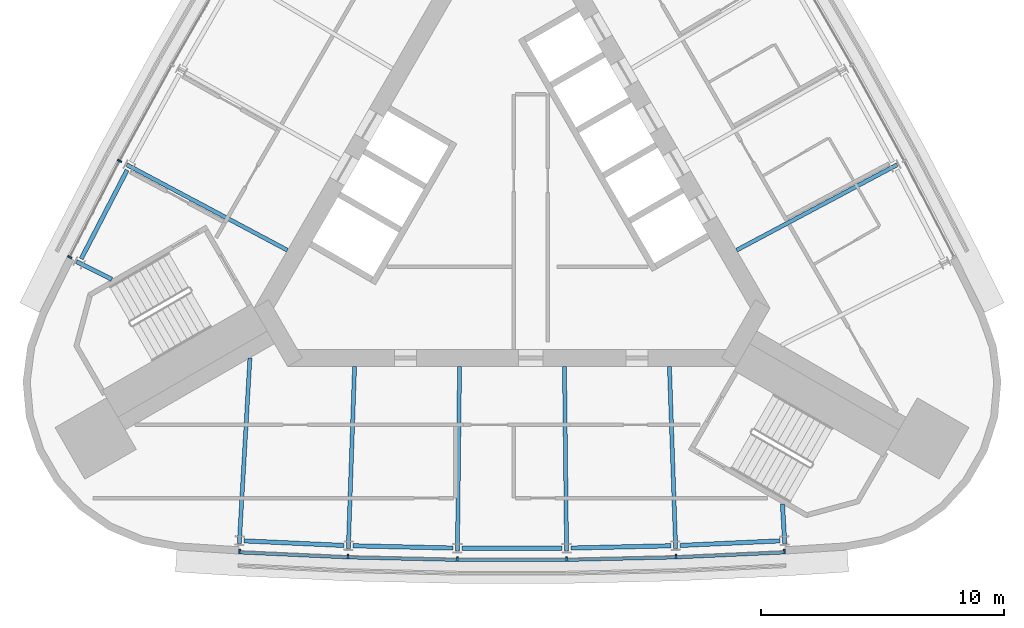
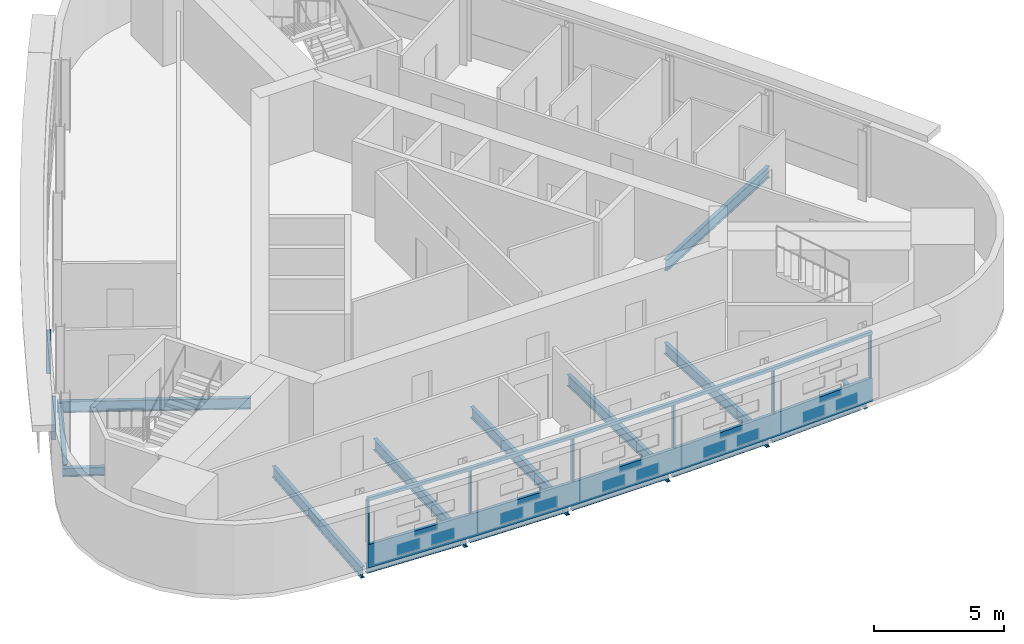
# One storey, part 2 of 10: 15 beams, 10 members, 2 elements without a shape of their own.
"""IFC4 building model written with IfcOpenShell, lengths in metres."""

from ifc_helpers import new_model, si_unit, direction, frame, origin, origin_2d, place, context, subcontext, project, spatial, polyline, rectangle, i_section, outline, extrude, material, material_profile, profile_set, type_object, element, aggregate, save


model = new_model("IFC4")

# Units and contexts
model_context = context("Model", 3, precision=1e-05, world=origin(), true_north=direction((0.0, 1.0)))
body_context = subcontext(model_context, "Body", "Model", "MODEL_VIEW")
ifc_project = project(units=[si_unit("LENGTHUNIT", "METRE"), si_unit("AREAUNIT", "SQUARE_METRE"), si_unit("VOLUMEUNIT", "CUBIC_METRE"), si_unit("PLANEANGLEUNIT", "RADIAN"), si_unit("MASSUNIT", "GRAM", prefix="KILO")], contexts=[model_context])

# Site, building, storey
site_placement = place(None, origin())
site = spatial("IfcSite", under=ifc_project, at=site_placement, CompositionType="ELEMENT")
building_placement = place(site_placement, origin())
building = spatial("IfcBuilding", under=site, at=building_placement, Name="Noor Cloister Tower", CompositionType="ELEMENT")
storey_placement = place(building_placement, frame((0.0, 0.0, 247.199951171875)))
storey = spatial("IfcBuildingStorey", under=building, at=storey_placement, Name="L64", CompositionType="ELEMENT", Elevation=247.199951171875)

# Curtain wall, member
ifc_material_1 = material(Name="Aluminium 6063-T6 anodised", Category="aluminium")
curtain_wall_type = type_object("IfcCurtainWallType", Name="Ribbon curtain wall, upper tower CW5", PredefinedType="NOTDEFINED", material=ifc_material_1)
curtain_wall_1_placement = place(storey_placement, origin())
curtain_wall_1 = element("IfcCurtainWall", 1, at=curtain_wall_1_placement, inside=storey, type_object=curtain_wall_type, Name="CW5 L64 S run 2", PredefinedType="NOTDEFINED")
ifc_material_2 = material(Name="Aluminium 6063-T6 anodised", Category="aluminium")
member_type_1 = type_object("IfcMemberType", Name="Head transom CW5 150", PredefinedType="USERDEFINED", material=ifc_material_2)
member_1_placement = place(storey_placement, frame((0.0, 0.0, 3.150146484375)))
member_1 = element("IfcMember", 2, at=member_1_placement, type_object=member_type_1, Name="CW5 head transom", ObjectType="TRANSOM", PredefinedType="USERDEFINED", context=body_context, shape_type="SweptSolid", body=[
    extrude(outline(polyline([(-11.243896484375, -14.640625), (-6.748779296875, -14.846923828125), (-2.25, -14.949951171875), (2.25, -14.949951171875), (6.748779296875, -14.846923828125), (11.243896484375, -14.640625), (11.2373046875, -14.500732421875), (6.743896484375, -14.706787109375), (2.248291015625, -14.81005859375), (-2.248291015625, -14.81005859375), (-6.743896484375, -14.706787109375), (-11.2373046875, -14.500732421875), (-11.243896484375, -14.640625)])), origin(), (0.0, 0.0, 1.0), 0.14990234375),
])

# Curtain wall, members
curtain_wall_2_placement = place(storey_placement, origin())
curtain_wall_2 = element("IfcCurtainWall", 3, at=curtain_wall_2_placement, inside=storey, type_object=curtain_wall_type, Name="CW5 L64 NW run 1", PredefinedType="NOTDEFINED")
ifc_material_3 = material(Name="Aluminium 6063-T6 anodised", Category="aluminium")
ifc_material_profile_1 = material_profile(ifc_material_3, rectangle(XDim=0.179931640625, YDim=0.070068359375, at=origin_2d()), Name="180 x 70 mullion")
ifc_profile_set_1 = profile_set([ifc_material_profile_1], Name="Aluminium 6063-T6 anodised")
member_type_2 = type_object("IfcMemberType", Name="Mullion CW5 70 x 180", PredefinedType="MULLION", material=ifc_profile_set_1)
member_2_placement = place(storey_placement, frame((-16.143798828125, 1.531982421875, 1.10009765625), z_axis=(0.0, 0.0, 1.0), x_axis=(0.882705052663, -0.469927430572, 0.0)))
member_2 = element("IfcMember", 4, at=member_2_placement, type_object=member_type_2, Name="CW5 mullion 5", PredefinedType="MULLION", context=body_context, shape_type="SweptSolid", body=[
    extrude(rectangle(XDim=0.179931640625, YDim=0.070068359375, at=origin_2d()), origin(), (0.0, 0.0, 1.0), 2.050048828125),
])
member_3_placement = place(storey_placement, frame((-18.196044921875, -2.43212890625, 1.10009765625), z_axis=(0.0, 0.0, 1.0), x_axis=(0.888033907993, -0.459777966255, 0.0)))
member_3 = element("IfcMember", 5, at=member_3_placement, type_object=member_type_2, Name="CW5 mullion 6", PredefinedType="MULLION", context=body_context, shape_type="SweptSolid", body=[
    extrude(rectangle(XDim=0.179931640625, YDim=0.070068359375, at=origin_2d()), origin(), (0.0, 0.0, 1.0), 2.050048828125),
])
aggregate(curtain_wall_2, [member_2, member_3])

# Member
member_4_placement = place(storey_placement, frame((-11.204345703125, -14.542236328125, 1.10009765625), z_axis=(0.0, 0.0, 1.0), x_axis=(0.045837555119, 0.998948906872, 0.0)))
member_4 = element("IfcMember", 6, at=member_4_placement, type_object=member_type_2, Name="CW5 mullion 1", PredefinedType="MULLION", context=body_context, shape_type="SweptSolid", body=[
    extrude(rectangle(XDim=0.179931640625, YDim=0.070068359375, at=origin_2d()), origin(), (0.0, 0.0, 1.0), 2.050048828125),
])

member_5_placement = place(storey_placement, frame((-6.7451171875, -14.746826171875, 1.10009765625), z_axis=(0.0, 0.0, 1.0), x_axis=(0.034383433521, 0.999408714941, 0.0)))
member_5 = element("IfcMember", 7, at=member_5_placement, type_object=member_type_2, Name="CW5 mullion 2", PredefinedType="MULLION", context=body_context, shape_type="SweptSolid", body=[
    extrude(rectangle(XDim=0.179931640625, YDim=0.070068359375, at=origin_2d()), origin(), (0.0, 0.0, 1.0), 2.050048828125),
])

member_6_placement = place(storey_placement, frame((-2.248779296875, -14.85009765625, 1.10009765625), z_axis=(0.0, 0.0, 1.0), x_axis=(0.011463158728, 0.999934295837, 0.0)))
member_6 = element("IfcMember", 8, at=member_6_placement, type_object=member_type_2, Name="CW5 mullion 3", PredefinedType="MULLION", context=body_context, shape_type="SweptSolid", body=[
    extrude(rectangle(XDim=0.179931640625, YDim=0.070068359375, at=origin_2d()), origin(), (0.0, 0.0, 1.0), 2.050048828125),
])

member_7_placement = place(storey_placement, frame((2.248779296875, -14.85009765625, 1.10009765625), z_axis=(0.0, 0.0, 1.0), x_axis=(-0.011463158728, 0.999934295837, 0.0)))
member_7 = element("IfcMember", 9, at=member_7_placement, type_object=member_type_2, Name="CW5 mullion 4", PredefinedType="MULLION", context=body_context, shape_type="SweptSolid", body=[
    extrude(rectangle(XDim=0.179931640625, YDim=0.070068359375, at=origin_2d()), origin(), (0.0, 0.0, 1.0), 2.050048828125),
])

member_8_placement = place(storey_placement, frame((6.7451171875, -14.746826171875, 1.10009765625), z_axis=(0.0, 0.0, 1.0), x_axis=(-0.034383433521, 0.999408714941, 0.0)))
member_8 = element("IfcMember", 10, at=member_8_placement, type_object=member_type_2, Name="CW5 mullion 5", PredefinedType="MULLION", context=body_context, shape_type="SweptSolid", body=[
    extrude(rectangle(XDim=0.179931640625, YDim=0.070068359375, at=origin_2d()), origin(), (0.0, 0.0, 1.0), 2.050048828125),
])

member_9_placement = place(storey_placement, frame((11.204345703125, -14.542236328125, 1.10009765625), z_axis=(0.0, 0.0, 1.0), x_axis=(-0.045837555119, 0.998948906872, 0.0)))
member_9 = element("IfcMember", 11, at=member_9_placement, type_object=member_type_2, Name="CW5 mullion 6", PredefinedType="MULLION", context=body_context, shape_type="SweptSolid", body=[
    extrude(rectangle(XDim=0.179931640625, YDim=0.070068359375, at=origin_2d()), origin(), (0.0, 0.0, 1.0), 2.050048828125),
])

# Beams
ifc_material_4 = material(Name="Steel ASTM A992 Gr 50", Category="steel")
ifc_material_profile_2 = material_profile(ifc_material_4, i_section(OverallWidth=0.177978515625, OverallDepth=0.406005859375, WebThickness=0.0078125, FlangeThickness=0.0126953125, FilletRadius=0.01025390625, at=origin_2d()), Name="W410x60")
ifc_profile_set_2 = profile_set([ifc_material_profile_2], Name="Steel ASTM A992 Gr 50")
beam_type_1 = type_object("IfcBeamType", Name="Radial beam W410x60", PredefinedType="BEAM", material=ifc_profile_set_2)
for number, where, z_axis, x_axis, name in (
    (12, (-17.913330078125, -2.6123046875, -0.40283203125), (0.893252544543, -0.449555215372, 0.0), (0.449555215372, 0.893252544543, 0.0), "Radial beam NW 06 L64"),
    (13, (11.218994140625, -14.207275390625, -0.40283203125), (-0.057225162394, 0.998361297722, 0.0), (-0.998361297722, -0.057225162394, 0.0), "Radial beam S 06 L64"),
):
    element("IfcBeam", number, at=place(storey_placement, frame(where, z_axis=z_axis, x_axis=x_axis)), inside=storey, type_object=beam_type_1, Name=name, PredefinedType="BEAM", context=body_context, shape_type="SweptSolid", body=[
        extrude(i_section(OverallWidth=0.177978515625, OverallDepth=0.406005859375, WebThickness=0.0078125, FlangeThickness=0.0126953125, FilletRadius=0.01025390625, at=origin_2d()), origin(), (0.0, 0.0, 1.0), 1.62548828125),
    ])
ifc_material_5 = material(Name="Steel ASTM A992 Gr 50", Category="steel")
ifc_material_profile_3 = material_profile(ifc_material_5, i_section(OverallWidth=0.166015625, OverallDepth=0.528076171875, WebThickness=0.009765625, FlangeThickness=0.013671875, FilletRadius=0.0126953125, at=origin_2d()), Name="W530x74")
ifc_profile_set_3 = profile_set([ifc_material_profile_3], Name="Steel ASTM A992 Gr 50")
beam_type_2 = type_object("IfcBeamType", Name="Radial beam W530x74", PredefinedType="BEAM", material=ifc_profile_set_3)
beam_1_placement = place(storey_placement, frame((-15.848876953125, 1.375, -0.4638671875), z_axis=(0.882699214966, -0.469938395855, 0.0), x_axis=(0.469938395855, 0.882699214966, 0.0)))
element("IfcBeam", 14, at=beam_1_placement, inside=storey, type_object=beam_type_2, Name="Radial beam NW 05 L64", PredefinedType="BEAM", context=body_context, shape_type="SweptSolid", body=[
    extrude(i_section(OverallWidth=0.166015625, OverallDepth=0.528076171875, WebThickness=0.009765625, FlangeThickness=0.013671875, FilletRadius=0.0126953125, at=origin_2d()), origin(), (0.0, 0.0, 1.0), 7.4892578125),
])
beam_2_placement = place(storey_placement, frame((-11.218994140625, -14.207275390625, -0.4638671875), z_axis=(0.057292483736, 0.998357436646, 0.0), x_axis=(-0.998357436646, 0.057292483736, 0.0)))
element("IfcBeam", 15, at=beam_2_placement, inside=storey, type_object=beam_type_2, Name="Radial beam S 01 L64", PredefinedType="BEAM", context=body_context, shape_type="SweptSolid", body=[
    extrude(i_section(OverallWidth=0.166015625, OverallDepth=0.528076171875, WebThickness=0.009765625, FlangeThickness=0.013671875, FilletRadius=0.0126953125, at=origin_2d()), origin(), (0.0, 0.0, 1.0), 7.64892578125),
])
beam_3_placement = place(storey_placement, frame((-6.733642578125, -14.4130859375, -0.4638671875), z_axis=(0.034358982056, 0.999409555864, 0.0), x_axis=(-0.999409555864, 0.034358982056, 0.0)))
element("IfcBeam", 16, at=beam_3_placement, inside=storey, type_object=beam_type_2, Name="Radial beam S 02 L64", PredefinedType="BEAM", context=body_context, shape_type="SweptSolid", body=[
    extrude(i_section(OverallWidth=0.166015625, OverallDepth=0.528076171875, WebThickness=0.009765625, FlangeThickness=0.013671875, FilletRadius=0.0126953125, at=origin_2d()), origin(), (0.0, 0.0, 1.0), 7.4892578125),
])
for number, where, z_axis, x_axis, name in (
    (17, (-2.244873046875, -14.51611328125, -0.4638671875), (0.011453560118, 0.999934405829, 0.0), (-0.999934405829, 0.011453560118, 0.0), "Radial beam S 03 L64"),
    (18, (2.244873046875, -14.51611328125, -0.4638671875), (-0.011453560118, 0.999934405829, 0.0), (-0.999934405829, -0.011453560118, 0.0), "Radial beam S 04 L64"),
):
    element("IfcBeam", number, at=place(storey_placement, frame(where, z_axis=z_axis, x_axis=x_axis)), inside=storey, type_object=beam_type_2, Name=name, PredefinedType="BEAM", context=body_context, shape_type="SweptSolid", body=[
        extrude(i_section(OverallWidth=0.166015625, OverallDepth=0.528076171875, WebThickness=0.009765625, FlangeThickness=0.013671875, FilletRadius=0.0126953125, at=origin_2d()), origin(), (0.0, 0.0, 1.0), 7.58837890625),
    ])
for number, where, z_axis, x_axis, name in (
    (19, (6.733642578125, -14.4130859375, -0.4638671875), (-0.034358982056, 0.999409555864, 0.0), (-0.999409555864, -0.034358982056, 0.0), "Radial beam S 05 L64"),
    (20, (15.848876953125, 1.375, -0.4638671875), (-0.882699214966, -0.469938395855, 0.0), (0.469938395855, -0.882699214966, 0.0), "Radial beam NE 02 L64"),
):
    element("IfcBeam", number, at=place(storey_placement, frame(where, z_axis=z_axis, x_axis=x_axis)), inside=storey, type_object=beam_type_2, Name=name, PredefinedType="BEAM", context=body_context, shape_type="SweptSolid", body=[
        extrude(i_section(OverallWidth=0.166015625, OverallDepth=0.528076171875, WebThickness=0.009765625, FlangeThickness=0.013671875, FilletRadius=0.0126953125, at=origin_2d()), origin(), (0.0, 0.0, 1.0), 7.4892578125),
    ])

# Member
ifc_material_6 = material(Name="Aluminium 6063-T6 anodised", Category="aluminium")
member_type_3 = type_object("IfcMemberType", Name="Sill transom CW5 1100", PredefinedType="USERDEFINED", material=ifc_material_6)
member_10_placement = place(storey_placement, origin())
member_10 = element("IfcMember", 21, at=member_10_placement, type_object=member_type_3, Name="CW5 sill transom", ObjectType="TRANSOM", PredefinedType="USERDEFINED", context=body_context, shape_type="SweptSolid", body=[
    extrude(outline(polyline([(-11.243896484375, -14.640625), (-6.748779296875, -14.846923828125), (-2.25, -14.949951171875), (2.25, -14.949951171875), (6.748779296875, -14.846923828125), (11.243896484375, -14.640625), (11.2373046875, -14.500732421875), (6.743896484375, -14.706787109375), (2.248291015625, -14.81005859375), (-2.248291015625, -14.81005859375), (-6.743896484375, -14.706787109375), (-11.2373046875, -14.500732421875), (-11.243896484375, -14.640625)])), origin(), (0.0, 0.0, 1.0), 1.10009765625),
])

aggregate(curtain_wall_1, [member_4, member_5, member_6, member_7, member_8, member_9, member_10, member_1])

# Beams
ifc_material_7 = material(Name="Steel ASTM A992 Gr 50", Category="steel")
ifc_material_profile_4 = material_profile(ifc_material_7, i_section(OverallWidth=0.177978515625, OverallDepth=0.406005859375, WebThickness=0.0078125, FlangeThickness=0.0126953125, FilletRadius=0.01025390625, at=origin_2d()), Name="W410x60")
ifc_profile_set_4 = profile_set([ifc_material_profile_4], Name="Steel ASTM A992 Gr 50")
beam_type_3 = type_object("IfcBeamType", Name="Spandrel beam W410x60", PredefinedType="SPANDREL", material=ifc_profile_set_4)
beam_4_placement = place(storey_placement, frame((-15.832275390625, 1.15478515625, -0.40283203125), z_axis=(-0.459773194778, -0.888036378401, 0.0), x_axis=(0.888036378401, -0.459773194778, 0.0)))
element("IfcBeam", 22, at=beam_4_placement, inside=storey, type_object=beam_type_3, Name="Spandrel beam NW 05 L64", PredefinedType="SPANDREL", context=body_context, shape_type="SweptSolid", body=[
    extrude(i_section(OverallWidth=0.177978515625, OverallDepth=0.406005859375, WebThickness=0.0078125, FlangeThickness=0.0126953125, FilletRadius=0.01025390625, at=origin_2d()), origin(), (0.0, 0.0, 1.0), 4.1142578125),
])
beam_5_placement = place(storey_placement, frame((-11.026123046875, -14.10009765625, -0.40283203125), z_axis=(0.998950230186, -0.045808706724, 0.0), x_axis=(0.045808706724, 0.998950230186, 0.0)))
element("IfcBeam", 23, at=beam_5_placement, inside=storey, type_object=beam_type_3, Name="Spandrel beam S 01 L64", PredefinedType="SPANDREL", context=body_context, shape_type="SweptSolid", body=[
    extrude(i_section(OverallWidth=0.177978515625, OverallDepth=0.406005859375, WebThickness=0.0078125, FlangeThickness=0.0126953125, FilletRadius=0.01025390625, at=origin_2d()), origin(), (0.0, 0.0, 1.0), 4.114501953125),
])
beam_6_placement = place(storey_placement, frame((-6.543212890625, -14.301513671875, -0.40283203125), z_axis=(0.999737621339, -0.02290607953, 0.0), x_axis=(0.02290607953, 0.999737621339, 0.0)))
element("IfcBeam", 24, at=beam_6_placement, inside=storey, type_object=beam_type_3, Name="Spandrel beam S 02 L64", PredefinedType="SPANDREL", context=body_context, shape_type="SweptSolid", body=[
    extrude(i_section(OverallWidth=0.177978515625, OverallDepth=0.406005859375, WebThickness=0.0078125, FlangeThickness=0.0126953125, FilletRadius=0.01025390625, at=origin_2d()), origin(), (0.0, 0.0, 1.0), 4.114013671875),
])
beam_7_placement = place(storey_placement, frame((-2.05712890625, -14.39990234375, -0.40283203125), z_axis=(1.0, 0.0, 0.0), x_axis=(0.0, 1.0, 0.0)))
element("IfcBeam", 25, at=beam_7_placement, inside=storey, type_object=beam_type_3, Name="Spandrel beam S 03 L64", PredefinedType="SPANDREL", context=body_context, shape_type="SweptSolid", body=[
    extrude(i_section(OverallWidth=0.177978515625, OverallDepth=0.406005859375, WebThickness=0.0078125, FlangeThickness=0.0126953125, FilletRadius=0.01025390625, at=origin_2d()), origin(), (0.0, 0.0, 1.0), 4.1142578125),
])
beam_8_placement = place(storey_placement, frame((2.43017578125, -14.395751953125, -0.40283203125), z_axis=(0.999737621339, 0.02290607953, 0.0), x_axis=(-0.02290607953, 0.999737621339, 0.0)))
element("IfcBeam", 26, at=beam_8_placement, inside=storey, type_object=beam_type_3, Name="Spandrel beam S 04 L64", PredefinedType="SPANDREL", context=body_context, shape_type="SweptSolid", body=[
    extrude(i_section(OverallWidth=0.177978515625, OverallDepth=0.406005859375, WebThickness=0.0078125, FlangeThickness=0.0126953125, FilletRadius=0.01025390625, at=origin_2d()), origin(), (0.0, 0.0, 1.0), 4.114013671875),
])
beam_9_placement = place(storey_placement, frame((6.916015625, -14.28857421875, -0.40283203125), z_axis=(0.998950230186, 0.045808706724, 0.0), x_axis=(-0.045808706724, 0.998950230186, 0.0)))
element("IfcBeam", 27, at=beam_9_placement, inside=storey, type_object=beam_type_3, Name="Spandrel beam S 05 L64", PredefinedType="SPANDREL", context=body_context, shape_type="SweptSolid", body=[
    extrude(i_section(OverallWidth=0.177978515625, OverallDepth=0.406005859375, WebThickness=0.0078125, FlangeThickness=0.0126953125, FilletRadius=0.01025390625, at=origin_2d()), origin(), (0.0, 0.0, 1.0), 4.114501953125),
])

save(model, "model.ifc")
